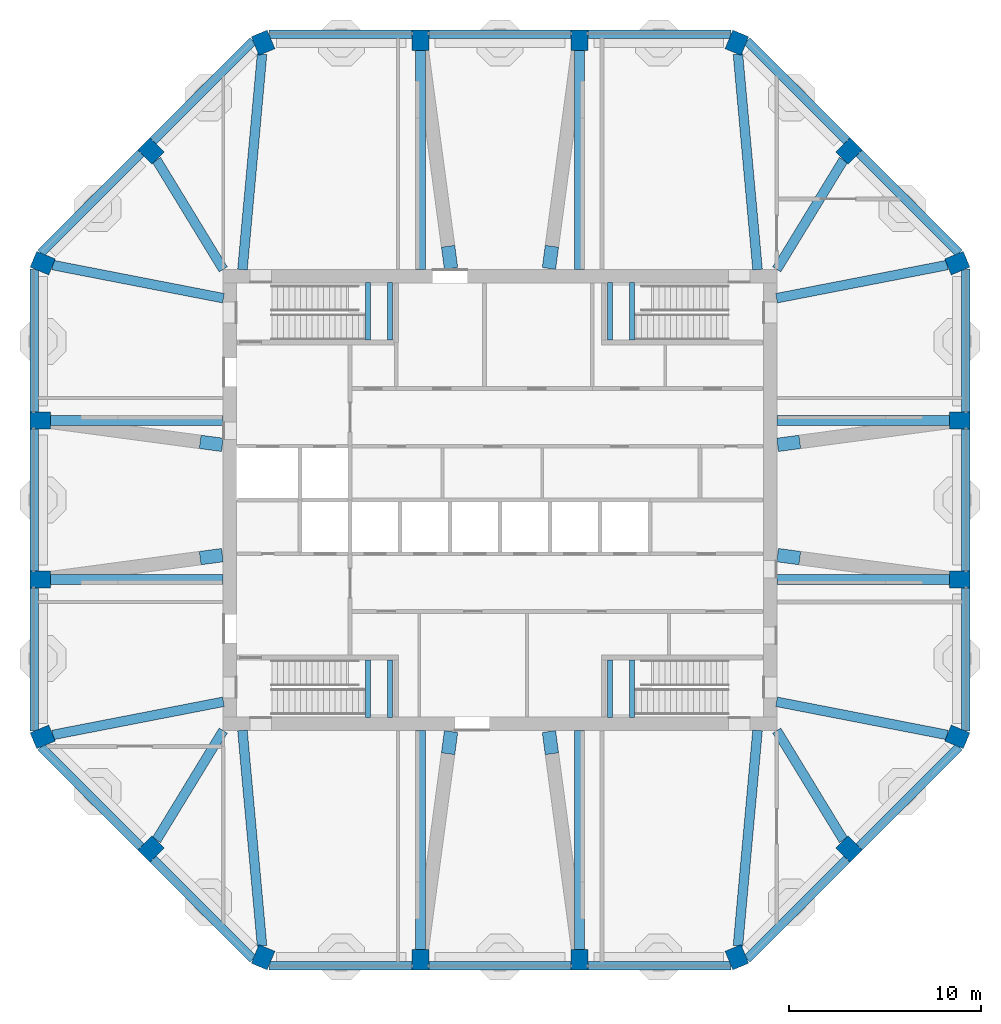
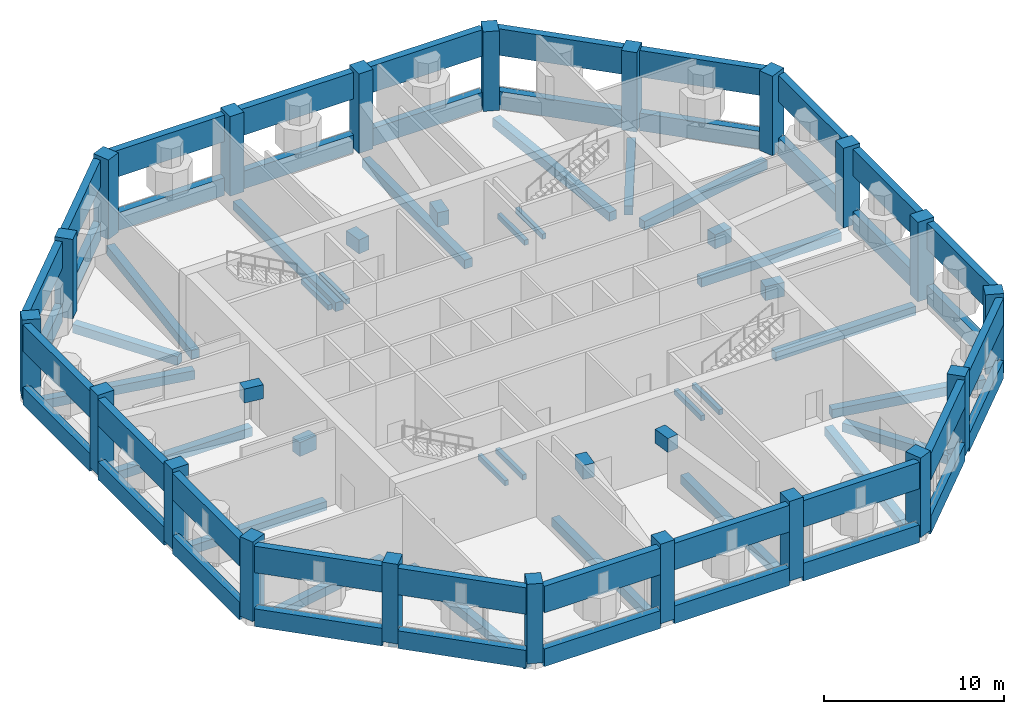
# One storey, part 1 of 9: 76 beams, 20 columns.
"""IFC4 building model written with IfcOpenShell, lengths in metres."""

from ifc_helpers import new_model, si_unit, direction, frame, origin, origin_2d, place, context, subcontext, project, spatial, rectangle, extrude, material, material_profile, profile_set, type_object, element, save


model = new_model("IFC4")

# Units and contexts
model_context = context("Model", 3, precision=1e-05, world=origin(), true_north=direction((0.0, 1.0)))
body_context = subcontext(model_context, "Body", "Model", "MODEL_VIEW")
ifc_project = project(units=[si_unit("LENGTHUNIT", "METRE"), si_unit("AREAUNIT", "SQUARE_METRE"), si_unit("VOLUMEUNIT", "CUBIC_METRE"), si_unit("PLANEANGLEUNIT", "RADIAN"), si_unit("MASSUNIT", "GRAM", prefix="KILO")], contexts=[model_context])

# Site, building, storey
site_placement = place(None, origin())
site = spatial("IfcSite", under=ifc_project, at=site_placement, CompositionType="ELEMENT")
building_placement = place(site_placement, origin())
building = spatial("IfcBuilding", under=site, at=building_placement, Name="Msitu Wima Residences", CompositionType="ELEMENT")
storey_placement = place(building_placement, frame((0.0, 0.0, 208.5)))
storey = spatial("IfcBuildingStorey", under=building, at=storey_placement, Name="L48", CompositionType="ELEMENT", Elevation=208.5)

# Columns
ifc_material_1 = material(Name="Concrete C60/75", Category="concrete")
ifc_material_profile_1 = material_profile(ifc_material_1, rectangle(XDim=0.89990234375, YDim=1.050048828125, at=origin_2d()), Name="RC 900x1050")
ifc_profile_set_1 = profile_set([ifc_material_profile_1], Name="Concrete C60/75")
column_type = type_object("IfcColumnType", Name="Column RC 900x1050 Concrete C60/75", PredefinedType="COLUMN", material=ifc_profile_set_1)
for number, where, z_axis, x_axis, name in (
    (1, (23.792724609375, -12.325927734375, 0.0), (0.0, 0.0, 1.0), (0.382683496864, 0.923879505795, 0.0), "Column L48 C-E0"),
    (2, (23.925048828125, -4.13720703125, 0.0), (0.0, 0.0, 1.0), (0.0, 1.0, 0.0), "Column L48 C-E1"),
    (3, (23.925048828125, 4.13720703125, 0.0), (0.0, 0.0, 1.0), (0.0, 1.0, 0.0), "Column L48 C-E2"),
    (4, (23.792724609375, 12.325927734375, 0.0), (0.0, 0.0, 1.0), (-0.382683496864, 0.923879505795, 0.0), "Column L48 C-NE0"),
    (5, (18.15283203125, 18.15283203125, 0.0), (0.0, 0.0, 1.0), (-0.707106781187, 0.707106781187, 0.0), "Column L48 C-NE1"),
    (6, (12.325927734375, 23.792724609375, 0.0), (0.0, 0.0, 1.0), (-0.923879505795, 0.382683496864, 0.0), "Column L48 C-N0"),
    (7, (4.13720703125, 23.925048828125, 0.0), (0.0, 0.0, 1.0), (-1.0, 0.0, 0.0), "Column L48 C-N1"),
    (8, (-4.13720703125, 23.925048828125, 0.0), (0.0, 0.0, 1.0), (-1.0, 0.0, 0.0), "Column L48 C-N2"),
    (9, (-12.325927734375, 23.792724609375, 0.0), (0.0, 0.0, 1.0), (-0.923879505795, -0.382683496864, 0.0), "Column L48 C-NW0"),
    (10, (-18.15283203125, 18.15283203125, 0.0), (0.0, 0.0, 1.0), (-0.707106781187, -0.707106781187, 0.0), "Column L48 C-NW1"),
    (11, (-23.792724609375, 12.325927734375, 0.0), (0.0, 0.0, 1.0), (-0.382683496864, -0.923879505795, 0.0), "Column L48 C-W0"),
    (12, (-23.925048828125, 4.13720703125, 0.0), (0.0, 0.0, 1.0), (0.0, -1.0, 0.0), "Column L48 C-W1"),
    (13, (-23.925048828125, -4.13720703125, 0.0), (0.0, 0.0, 1.0), (0.0, -1.0, 0.0), "Column L48 C-W2"),
    (14, (-23.792724609375, -12.325927734375, 0.0), (0.0, 0.0, 1.0), (0.382683496864, -0.923879505795, 0.0), "Column L48 C-SW0"),
    (15, (-18.15283203125, -18.15283203125, 0.0), (0.0, 0.0, 1.0), (0.707106781187, -0.707106781187, 0.0), "Column L48 C-SW1"),
    (16, (-12.325927734375, -23.792724609375, 0.0), (0.0, 0.0, 1.0), (0.923879505795, -0.382683496864, 0.0), "Column L48 C-S0"),
    (17, (-4.13720703125, -23.925048828125, 0.0), (0.0, 0.0, 1.0), (1.0, 0.0, 0.0), "Column L48 C-S1"),
    (18, (4.13720703125, -23.925048828125, 0.0), (0.0, 0.0, 1.0), (1.0, 0.0, 0.0), "Column L48 C-S2"),
    (19, (12.325927734375, -23.792724609375, 0.0), (0.0, 0.0, 1.0), (0.923879505795, 0.382683496864, 0.0), "Column L48 C-SE0"),
    (20, (18.15283203125, -18.15283203125, 0.0), (0.0, 0.0, 1.0), (0.707106781187, 0.707106781187, 0.0), "Column L48 C-SE1"),
):
    element("IfcColumn", number, at=place(storey_placement, frame(where, z_axis=z_axis, x_axis=x_axis)), inside=storey, type_object=column_type, Name=name, PredefinedType="COLUMN", context=body_context, shape_type="SweptSolid", body=[
        extrude(rectangle(XDim=0.89990234375, YDim=1.050048828125, at=origin_2d()), origin(), (0.0, 0.0, 1.0), 5.39990234375),
    ])

# Beams
ifc_material_2 = material(Name="Concrete C50/60", Category="concrete")
ifc_material_profile_2 = material_profile(ifc_material_2, rectangle(XDim=0.5, YDim=0.60009765625, at=origin_2d()), Name="RC 500x600")
ifc_profile_set_2 = profile_set([ifc_material_profile_2], Name="Concrete C50/60")
beam_type_1 = type_object("IfcBeamType", Name="Beam RC 500x600 Concrete C50/60", PredefinedType="BEAM", material=ifc_profile_set_2)
beam_1_placement = place(storey_placement, frame((23.266845703125, -12.2236328125, -0.699951171875), z_axis=(-0.981627328559, 0.190808248841, 0.0), x_axis=(-0.190808248841, -0.981627328559, 0.0)))
element("IfcBeam", 21, at=beam_1_placement, inside=storey, type_object=beam_type_1, Name="Beam L48 C-E0", PredefinedType="BEAM", context=body_context, shape_type="SweptSolid", body=[
    extrude(rectangle(XDim=0.5, YDim=0.60009765625, at=origin_2d()), origin(), (0.0, 0.0, 1.0), 9.044921875),
])
for number, where, z_axis, x_axis, name in (
    (22, (23.39990234375, -4.13720703125, -0.699951171875), (-1.0, 0.0, 0.0), (0.0, -1.0, 0.0), "Beam L48 C-E1"),
    (23, (23.39990234375, 4.13720703125, -0.699951171875), (-1.0, 0.0, 0.0), (0.0, -1.0, 0.0), "Beam L48 C-E2"),
):
    element("IfcBeam", number, at=place(storey_placement, frame(where, z_axis=z_axis, x_axis=x_axis)), inside=storey, type_object=beam_type_1, Name=name, PredefinedType="BEAM", context=body_context, shape_type="SweptSolid", body=[
        extrude(rectangle(XDim=0.5, YDim=0.60009765625, at=origin_2d()), origin(), (0.0, 0.0, 1.0), 9.0),
    ])
beam_2_placement = place(storey_placement, frame((23.266845703125, 12.2236328125, -0.699951171875), z_axis=(-0.981627328559, -0.190808248841, 0.0), x_axis=(0.190808248841, -0.981627328559, 0.0)))
element("IfcBeam", 24, at=beam_2_placement, inside=storey, type_object=beam_type_1, Name="Beam L48 C-NE0", PredefinedType="BEAM", context=body_context, shape_type="SweptSolid", body=[
    extrude(rectangle(XDim=0.5, YDim=0.60009765625, at=origin_2d()), origin(), (0.0, 0.0, 1.0), 9.044921875),
])
beam_3_placement = place(storey_placement, frame((17.87158203125, 17.691650390625, -0.699951171875), z_axis=(-0.520734381113, -0.853718750132, 0.0), x_axis=(0.853718750132, -0.520734381113, 0.0)))
element("IfcBeam", 25, at=beam_3_placement, inside=storey, type_object=beam_type_1, Name="Beam L48 C-NE1", PredefinedType="BEAM", context=body_context, shape_type="SweptSolid", body=[
    extrude(rectangle(XDim=0.5, YDim=0.60009765625, at=origin_2d()), origin(), (0.0, 0.0, 1.0), 6.6669921875),
])
beam_4_placement = place(storey_placement, frame((12.379638671875, 23.2021484375, -0.699951171875), z_axis=(0.090713636077, -0.995877018627, 0.0), x_axis=(0.995877018627, 0.090713636077, 0.0)))
element("IfcBeam", 26, at=beam_4_placement, inside=storey, type_object=beam_type_1, Name="Beam L48 C-N0", PredefinedType="BEAM", context=body_context, shape_type="SweptSolid", body=[
    extrude(rectangle(XDim=0.5, YDim=0.60009765625, at=origin_2d()), origin(), (0.0, 0.0, 1.0), 11.260498046875),
])
for number, where, z_axis, x_axis, name in (
    (27, (4.13720703125, 23.39990234375, -0.699951171875), (0.0, -1.0, 0.0), (1.0, 0.0, 0.0), "Beam L48 C-N1"),
    (28, (-4.13720703125, 23.39990234375, -0.699951171875), (0.0, -1.0, 0.0), (1.0, 0.0, 0.0), "Beam L48 C-N2"),
):
    element("IfcBeam", number, at=place(storey_placement, frame(where, z_axis=z_axis, x_axis=x_axis)), inside=storey, type_object=beam_type_1, Name=name, PredefinedType="BEAM", context=body_context, shape_type="SweptSolid", body=[
        extrude(rectangle(XDim=0.5, YDim=0.60009765625, at=origin_2d()), origin(), (0.0, 0.0, 1.0), 11.39990234375),
    ])
beam_5_placement = place(storey_placement, frame((-12.379638671875, 23.2021484375, -0.699951171875), z_axis=(-0.090713636077, -0.995877018627, 0.0), x_axis=(0.995877018627, -0.090713636077, 0.0)))
element("IfcBeam", 29, at=beam_5_placement, inside=storey, type_object=beam_type_1, Name="Beam L48 C-NW0", PredefinedType="BEAM", context=body_context, shape_type="SweptSolid", body=[
    extrude(rectangle(XDim=0.5, YDim=0.60009765625, at=origin_2d()), origin(), (0.0, 0.0, 1.0), 11.260498046875),
])
beam_6_placement = place(storey_placement, frame((-17.87158203125, 17.691650390625, -0.699951171875), z_axis=(0.520734381113, -0.853718750132, 0.0), x_axis=(0.853718750132, 0.520734381113, 0.0)))
element("IfcBeam", 30, at=beam_6_placement, inside=storey, type_object=beam_type_1, Name="Beam L48 C-NW1", PredefinedType="BEAM", context=body_context, shape_type="SweptSolid", body=[
    extrude(rectangle(XDim=0.5, YDim=0.60009765625, at=origin_2d()), origin(), (0.0, 0.0, 1.0), 6.6669921875),
])
beam_7_placement = place(storey_placement, frame((-23.266845703125, 12.2236328125, -0.699951171875), z_axis=(0.981627328559, -0.190808248841, 0.0), x_axis=(0.190808248841, 0.981627328559, 0.0)))
element("IfcBeam", 31, at=beam_7_placement, inside=storey, type_object=beam_type_1, Name="Beam L48 C-W0", PredefinedType="BEAM", context=body_context, shape_type="SweptSolid", body=[
    extrude(rectangle(XDim=0.5, YDim=0.60009765625, at=origin_2d()), origin(), (0.0, 0.0, 1.0), 9.044921875),
])
for number, where, z_axis, x_axis, name in (
    (32, (-23.39990234375, 4.13720703125, -0.699951171875), (1.0, 0.0, 0.0), (0.0, 1.0, 0.0), "Beam L48 C-W1"),
    (33, (-23.39990234375, -4.13720703125, -0.699951171875), (1.0, 0.0, 0.0), (0.0, 1.0, 0.0), "Beam L48 C-W2"),
):
    element("IfcBeam", number, at=place(storey_placement, frame(where, z_axis=z_axis, x_axis=x_axis)), inside=storey, type_object=beam_type_1, Name=name, PredefinedType="BEAM", context=body_context, shape_type="SweptSolid", body=[
        extrude(rectangle(XDim=0.5, YDim=0.60009765625, at=origin_2d()), origin(), (0.0, 0.0, 1.0), 9.0),
    ])
beam_8_placement = place(storey_placement, frame((-23.266845703125, -12.2236328125, -0.699951171875), z_axis=(0.981627328559, 0.190808248841, 0.0), x_axis=(-0.190808248841, 0.981627328559, 0.0)))
element("IfcBeam", 34, at=beam_8_placement, inside=storey, type_object=beam_type_1, Name="Beam L48 C-SW0", PredefinedType="BEAM", context=body_context, shape_type="SweptSolid", body=[
    extrude(rectangle(XDim=0.5, YDim=0.60009765625, at=origin_2d()), origin(), (0.0, 0.0, 1.0), 9.044921875),
])
beam_9_placement = place(storey_placement, frame((-17.87158203125, -17.691650390625, -0.699951171875), z_axis=(0.520734381113, 0.853718750132, 0.0), x_axis=(-0.853718750132, 0.520734381113, 0.0)))
element("IfcBeam", 35, at=beam_9_placement, inside=storey, type_object=beam_type_1, Name="Beam L48 C-SW1", PredefinedType="BEAM", context=body_context, shape_type="SweptSolid", body=[
    extrude(rectangle(XDim=0.5, YDim=0.60009765625, at=origin_2d()), origin(), (0.0, 0.0, 1.0), 6.6669921875),
])
beam_10_placement = place(storey_placement, frame((-12.379638671875, -23.2021484375, -0.699951171875), z_axis=(-0.090713636077, 0.995877018627, 0.0), x_axis=(-0.995877018627, -0.090713636077, 0.0)))
element("IfcBeam", 36, at=beam_10_placement, inside=storey, type_object=beam_type_1, Name="Beam L48 C-S0", PredefinedType="BEAM", context=body_context, shape_type="SweptSolid", body=[
    extrude(rectangle(XDim=0.5, YDim=0.60009765625, at=origin_2d()), origin(), (0.0, 0.0, 1.0), 11.260498046875),
])
for number, where, z_axis, x_axis, name in (
    (37, (-4.13720703125, -23.39990234375, -0.699951171875), (0.0, 1.0, 0.0), (-1.0, 0.0, 0.0), "Beam L48 C-S1"),
    (38, (4.13720703125, -23.39990234375, -0.699951171875), (0.0, 1.0, 0.0), (-1.0, 0.0, 0.0), "Beam L48 C-S2"),
):
    element("IfcBeam", number, at=place(storey_placement, frame(where, z_axis=z_axis, x_axis=x_axis)), inside=storey, type_object=beam_type_1, Name=name, PredefinedType="BEAM", context=body_context, shape_type="SweptSolid", body=[
        extrude(rectangle(XDim=0.5, YDim=0.60009765625, at=origin_2d()), origin(), (0.0, 0.0, 1.0), 11.39990234375),
    ])
beam_11_placement = place(storey_placement, frame((12.379638671875, -23.2021484375, -0.699951171875), z_axis=(0.090713636077, 0.995877018627, 0.0), x_axis=(-0.995877018627, 0.090713636077, 0.0)))
element("IfcBeam", 39, at=beam_11_placement, inside=storey, type_object=beam_type_1, Name="Beam L48 C-SE0", PredefinedType="BEAM", context=body_context, shape_type="SweptSolid", body=[
    extrude(rectangle(XDim=0.5, YDim=0.60009765625, at=origin_2d()), origin(), (0.0, 0.0, 1.0), 11.260498046875),
])
beam_12_placement = place(storey_placement, frame((17.87158203125, -17.691650390625, -0.699951171875), z_axis=(-0.520734381113, 0.853718750132, 0.0), x_axis=(-0.853718750132, -0.520734381113, 0.0)))
element("IfcBeam", 40, at=beam_12_placement, inside=storey, type_object=beam_type_1, Name="Beam L48 C-SE1", PredefinedType="BEAM", context=body_context, shape_type="SweptSolid", body=[
    extrude(rectangle(XDim=0.5, YDim=0.60009765625, at=origin_2d()), origin(), (0.0, 0.0, 1.0), 6.6669921875),
])
ifc_material_3 = material(Name="Concrete C80/95", Category="concrete")
ifc_material_profile_3 = material_profile(ifc_material_3, rectangle(XDim=0.449951171875, YDim=1.800048828125, at=origin_2d()), Name="RC 450x1800")
ifc_profile_set_3 = profile_set([ifc_material_profile_3], Name="Concrete C80/95")
beam_type_2 = type_object("IfcBeamType", Name="Belt girder RC 450x1800 Concrete C80/95", PredefinedType="BEAM", material=ifc_profile_set_3)
beam_13_placement = place(storey_placement, frame((24.22509765625, -12.02978515625, 4.25), z_axis=(0.0, 1.0, 0.0), x_axis=(-1.0, 0.0, 0.0)))
element("IfcBeam", 41, at=beam_13_placement, inside=storey, type_object=beam_type_2, Name="Belt girder L48 E0", PredefinedType="BEAM", context=body_context, shape_type="SweptSolid", body=[
    extrude(rectangle(XDim=0.449951171875, YDim=1.800048828125, at=origin_2d()), origin(), (0.0, 0.0, 1.0), 7.442626953125),
])
beam_14_placement = place(storey_placement, frame((24.22509765625, -3.687255859375, 4.25), z_axis=(0.0, 1.0, 0.0), x_axis=(-1.0, 0.0, 0.0)))
element("IfcBeam", 42, at=beam_14_placement, inside=storey, type_object=beam_type_2, Name="Belt girder L48 E1", PredefinedType="BEAM", context=body_context, shape_type="SweptSolid", body=[
    extrude(rectangle(XDim=0.449951171875, YDim=1.800048828125, at=origin_2d()), origin(), (0.0, 0.0, 1.0), 7.37451171875),
])
beam_15_placement = place(storey_placement, frame((24.22509765625, 4.587158203125, 4.25), z_axis=(0.0, 1.0, 0.0), x_axis=(-1.0, 0.0, 0.0)))
element("IfcBeam", 43, at=beam_15_placement, inside=storey, type_object=beam_type_2, Name="Belt girder L48 E2", PredefinedType="BEAM", context=body_context, shape_type="SweptSolid", body=[
    extrude(rectangle(XDim=0.449951171875, YDim=1.800048828125, at=origin_2d()), origin(), (0.0, 0.0, 1.0), 7.442626953125),
])
for number, where, z_axis, x_axis, name in (
    (44, (23.88916015625, 12.8408203125, 4.25), (-0.707106781187, 0.707106781187, 0.0), (-0.707106781187, -0.707106781187, 0.0), "Belt girder L48 NE0"),
    (45, (18.046875, 18.68310546875, 4.25), (-0.707106781187, 0.707106781187, 0.0), (-0.707106781187, -0.707106781187, 0.0), "Belt girder L48 NE1"),
):
    element("IfcBeam", number, at=place(storey_placement, frame(where, z_axis=z_axis, x_axis=x_axis)), inside=storey, type_object=beam_type_2, Name=name, PredefinedType="BEAM", context=body_context, shape_type="SweptSolid", body=[
        extrude(rectangle(XDim=0.449951171875, YDim=1.800048828125, at=origin_2d()), origin(), (0.0, 0.0, 1.0), 7.362548828125),
    ])
beam_16_placement = place(storey_placement, frame((12.02978515625, 24.22509765625, 4.25), z_axis=(-1.0, 0.0, 0.0), x_axis=(0.0, -1.0, 0.0)))
element("IfcBeam", 46, at=beam_16_placement, inside=storey, type_object=beam_type_2, Name="Belt girder L48 N0", PredefinedType="BEAM", context=body_context, shape_type="SweptSolid", body=[
    extrude(rectangle(XDim=0.449951171875, YDim=1.800048828125, at=origin_2d()), origin(), (0.0, 0.0, 1.0), 7.442626953125),
])
beam_17_placement = place(storey_placement, frame((3.687255859375, 24.22509765625, 4.25), z_axis=(-1.0, 0.0, 0.0), x_axis=(0.0, -1.0, 0.0)))
element("IfcBeam", 47, at=beam_17_placement, inside=storey, type_object=beam_type_2, Name="Belt girder L48 N1", PredefinedType="BEAM", context=body_context, shape_type="SweptSolid", body=[
    extrude(rectangle(XDim=0.449951171875, YDim=1.800048828125, at=origin_2d()), origin(), (0.0, 0.0, 1.0), 7.37451171875),
])
beam_18_placement = place(storey_placement, frame((-4.587158203125, 24.22509765625, 4.25), z_axis=(-1.0, 0.0, 0.0), x_axis=(0.0, -1.0, 0.0)))
element("IfcBeam", 48, at=beam_18_placement, inside=storey, type_object=beam_type_2, Name="Belt girder L48 N2", PredefinedType="BEAM", context=body_context, shape_type="SweptSolid", body=[
    extrude(rectangle(XDim=0.449951171875, YDim=1.800048828125, at=origin_2d()), origin(), (0.0, 0.0, 1.0), 7.442626953125),
])
for number, where, z_axis, x_axis, name in (
    (49, (-12.8408203125, 23.88916015625, 4.25), (-0.707106781187, -0.707106781187, 0.0), (0.707106781187, -0.707106781187, 0.0), "Belt girder L48 NW0"),
    (50, (-18.68310546875, 18.046875, 4.25), (-0.707106781187, -0.707106781187, 0.0), (0.707106781187, -0.707106781187, 0.0), "Belt girder L48 NW1"),
):
    element("IfcBeam", number, at=place(storey_placement, frame(where, z_axis=z_axis, x_axis=x_axis)), inside=storey, type_object=beam_type_2, Name=name, PredefinedType="BEAM", context=body_context, shape_type="SweptSolid", body=[
        extrude(rectangle(XDim=0.449951171875, YDim=1.800048828125, at=origin_2d()), origin(), (0.0, 0.0, 1.0), 7.362548828125),
    ])
beam_19_placement = place(storey_placement, frame((-24.22509765625, 12.02978515625, 4.25), z_axis=(0.0, -1.0, 0.0), x_axis=(1.0, 0.0, 0.0)))
element("IfcBeam", 51, at=beam_19_placement, inside=storey, type_object=beam_type_2, Name="Belt girder L48 W0", PredefinedType="BEAM", context=body_context, shape_type="SweptSolid", body=[
    extrude(rectangle(XDim=0.449951171875, YDim=1.800048828125, at=origin_2d()), origin(), (0.0, 0.0, 1.0), 7.442626953125),
])
beam_20_placement = place(storey_placement, frame((-24.22509765625, 3.687255859375, 4.25), z_axis=(0.0, -1.0, 0.0), x_axis=(1.0, 0.0, 0.0)))
element("IfcBeam", 52, at=beam_20_placement, inside=storey, type_object=beam_type_2, Name="Belt girder L48 W1", PredefinedType="BEAM", context=body_context, shape_type="SweptSolid", body=[
    extrude(rectangle(XDim=0.449951171875, YDim=1.800048828125, at=origin_2d()), origin(), (0.0, 0.0, 1.0), 7.37451171875),
])
beam_21_placement = place(storey_placement, frame((-24.22509765625, -4.587158203125, 4.25), z_axis=(0.0, -1.0, 0.0), x_axis=(1.0, 0.0, 0.0)))
element("IfcBeam", 53, at=beam_21_placement, inside=storey, type_object=beam_type_2, Name="Belt girder L48 W2", PredefinedType="BEAM", context=body_context, shape_type="SweptSolid", body=[
    extrude(rectangle(XDim=0.449951171875, YDim=1.800048828125, at=origin_2d()), origin(), (0.0, 0.0, 1.0), 7.442626953125),
])
for number, where, z_axis, x_axis, name in (
    (54, (-23.88916015625, -12.8408203125, 4.25), (0.707106781187, -0.707106781187, 0.0), (0.707106781187, 0.707106781187, 0.0), "Belt girder L48 SW0"),
    (55, (-18.046875, -18.68310546875, 4.25), (0.707106781187, -0.707106781187, 0.0), (0.707106781187, 0.707106781187, 0.0), "Belt girder L48 SW1"),
):
    element("IfcBeam", number, at=place(storey_placement, frame(where, z_axis=z_axis, x_axis=x_axis)), inside=storey, type_object=beam_type_2, Name=name, PredefinedType="BEAM", context=body_context, shape_type="SweptSolid", body=[
        extrude(rectangle(XDim=0.449951171875, YDim=1.800048828125, at=origin_2d()), origin(), (0.0, 0.0, 1.0), 7.362548828125),
    ])
beam_22_placement = place(storey_placement, frame((-12.02978515625, -24.22509765625, 4.25), z_axis=(1.0, 0.0, 0.0), x_axis=(0.0, 1.0, 0.0)))
element("IfcBeam", 56, at=beam_22_placement, inside=storey, type_object=beam_type_2, Name="Belt girder L48 S0", PredefinedType="BEAM", context=body_context, shape_type="SweptSolid", body=[
    extrude(rectangle(XDim=0.449951171875, YDim=1.800048828125, at=origin_2d()), origin(), (0.0, 0.0, 1.0), 7.442626953125),
])
beam_23_placement = place(storey_placement, frame((-3.687255859375, -24.22509765625, 4.25), z_axis=(1.0, 0.0, 0.0), x_axis=(0.0, 1.0, 0.0)))
element("IfcBeam", 57, at=beam_23_placement, inside=storey, type_object=beam_type_2, Name="Belt girder L48 S1", PredefinedType="BEAM", context=body_context, shape_type="SweptSolid", body=[
    extrude(rectangle(XDim=0.449951171875, YDim=1.800048828125, at=origin_2d()), origin(), (0.0, 0.0, 1.0), 7.37451171875),
])
beam_24_placement = place(storey_placement, frame((4.587158203125, -24.22509765625, 4.25), z_axis=(1.0, 0.0, 0.0), x_axis=(0.0, 1.0, 0.0)))
element("IfcBeam", 58, at=beam_24_placement, inside=storey, type_object=beam_type_2, Name="Belt girder L48 S2", PredefinedType="BEAM", context=body_context, shape_type="SweptSolid", body=[
    extrude(rectangle(XDim=0.449951171875, YDim=1.800048828125, at=origin_2d()), origin(), (0.0, 0.0, 1.0), 7.442626953125),
])
for number, where, z_axis, x_axis, name in (
    (59, (12.8408203125, -23.88916015625, 4.25), (0.707106781187, 0.707106781187, 0.0), (-0.707106781187, 0.707106781187, 0.0), "Belt girder L48 SE0"),
    (60, (18.68310546875, -18.046875, 4.25), (0.707106781187, 0.707106781187, 0.0), (-0.707106781187, 0.707106781187, 0.0), "Belt girder L48 SE1"),
):
    element("IfcBeam", number, at=place(storey_placement, frame(where, z_axis=z_axis, x_axis=x_axis)), inside=storey, type_object=beam_type_2, Name=name, PredefinedType="BEAM", context=body_context, shape_type="SweptSolid", body=[
        extrude(rectangle(XDim=0.449951171875, YDim=1.800048828125, at=origin_2d()), origin(), (0.0, 0.0, 1.0), 7.362548828125),
    ])
ifc_material_profile_4 = material_profile(ifc_material_3, rectangle(XDim=0.699951171875, YDim=0.949951171875, at=origin_2d()), Name="RC 700x950")
ifc_profile_set_4 = profile_set([ifc_material_profile_4], Name="Concrete C80/95")
beam_type_3 = type_object("IfcBeamType", Name="Coupling beam RC 700x950 Concrete C80/95", PredefinedType="BEAM", material=ifc_profile_set_4)
for number, where, z_axis, x_axis, name in (
    (61, (14.446533203125, -2.8681640625, 2.875), (0.991163730184, -0.132644110192, 0.0), (0.132644110192, 0.991163730184, 0.0), "Coupling beam L48 C-E1"),
    (62, (14.446533203125, 2.8681640625, 2.875), (0.991163730184, 0.132644110192, 0.0), (-0.132644110192, 0.991163730184, 0.0), "Coupling beam L48 C-E2"),
    (63, (2.546875, 12.04638671875, 2.875), (0.132644110192, 0.991163730184, 0.0), (-0.991163730184, 0.132644110192, 0.0), "Coupling beam L48 C-N1"),
    (64, (-2.546875, 12.04638671875, 2.875), (-0.132644110192, 0.991163730184, 0.0), (-0.991163730184, -0.132644110192, 0.0), "Coupling beam L48 C-N2"),
    (65, (-14.446533203125, 2.8681640625, 2.875), (-0.991163730184, 0.132644110192, 0.0), (-0.132644110192, -0.991163730184, 0.0), "Coupling beam L48 C-W1"),
    (66, (-14.446533203125, -2.8681640625, 2.875), (-0.991163730184, -0.132644110192, 0.0), (0.132644110192, -0.991163730184, 0.0), "Coupling beam L48 C-W2"),
    (67, (-2.546875, -12.04638671875, 2.875), (-0.132644110192, -0.991163730184, 0.0), (0.991163730184, -0.132644110192, 0.0), "Coupling beam L48 C-S1"),
    (68, (2.546875, -12.04638671875, 2.875), (0.132644110192, -0.991163730184, 0.0), (0.991163730184, 0.132644110192, 0.0), "Coupling beam L48 C-S2"),
):
    element("IfcBeam", number, at=place(storey_placement, frame(where, z_axis=z_axis, x_axis=x_axis)), inside=storey, type_object=beam_type_3, Name=name, PredefinedType="BEAM", context=body_context, shape_type="SweptSolid", body=[
        extrude(rectangle(XDim=0.699951171875, YDim=0.949951171875, at=origin_2d()), origin(), (0.0, 0.0, 1.0), 1.1650390625),
    ])
ifc_material_4 = material(Name="Concrete C40/50", Category="concrete")
ifc_material_profile_5 = material_profile(ifc_material_4, rectangle(XDim=0.25, YDim=0.35009765625, at=origin_2d()), Name="RC 250x350")
ifc_profile_set_5 = profile_set([ifc_material_profile_5], Name="Concrete C40/50")
beam_type_4 = type_object("IfcBeamType", Name="Landing beam RC 250x350", PredefinedType="BEAM", material=ifc_profile_set_5)
for number, where, z_axis, x_axis, name in (
    (69, (-6.875, 8.324951171875, 2.40673828125), (0.0, 1.0, 0.0), (-1.0, 0.0, 0.0), "Stair 1 landing beam"),
    (70, (-5.72509765625, 8.324951171875, 2.40673828125), (0.0, 1.0, 0.0), (-1.0, 0.0, 0.0), "Stair 1 landing beam"),
    (71, (-6.875, -11.324951171875, 2.40673828125), (0.0, 1.0, 0.0), (-1.0, 0.0, 0.0), "Stair 2 landing beam"),
    (72, (-5.72509765625, -11.324951171875, 2.40673828125), (0.0, 1.0, 0.0), (-1.0, 0.0, 0.0), "Stair 2 landing beam"),
    (73, (6.875, 8.324951171875, 2.40673828125), (0.0, 1.0, 0.0), (-1.0, 0.0, 0.0), "Stair 3 landing beam"),
    (74, (5.72509765625, 8.324951171875, 2.40673828125), (0.0, 1.0, 0.0), (-1.0, 0.0, 0.0), "Stair 3 landing beam"),
    (75, (6.875, -11.324951171875, 2.40673828125), (0.0, 1.0, 0.0), (-1.0, 0.0, 0.0), "Stair 4 landing beam"),
    (76, (5.72509765625, -11.324951171875, 2.40673828125), (0.0, 1.0, 0.0), (-1.0, 0.0, 0.0), "Stair 4 landing beam"),
):
    element("IfcBeam", number, at=place(storey_placement, frame(where, z_axis=z_axis, x_axis=x_axis)), inside=storey, type_object=beam_type_4, Name=name, PredefinedType="BEAM", context=body_context, shape_type="SweptSolid", body=[
        extrude(rectangle(XDim=0.25, YDim=0.35009765625, at=origin_2d()), origin(), (0.0, 0.0, 1.0), 3.0),
    ])
ifc_material_profile_6 = material_profile(ifc_material_2, rectangle(XDim=0.449951171875, YDim=1.199951171875, at=origin_2d()), Name="RC 450x1200")
ifc_profile_set_6 = profile_set([ifc_material_profile_6], Name="Concrete C50/60")
beam_type_5 = type_object("IfcBeamType", Name="Spandrel RC 450x1200 Concrete C50/60", PredefinedType="SPANDREL", material=ifc_profile_set_6)
beam_25_placement = place(storey_placement, frame((24.22509765625, -12.02978515625, 0.300048828125), z_axis=(0.0, 1.0, 0.0), x_axis=(-1.0, 0.0, 0.0)))
element("IfcBeam", 77, at=beam_25_placement, inside=storey, type_object=beam_type_5, Name="Spandrel L48 E0", PredefinedType="SPANDREL", context=body_context, shape_type="SweptSolid", body=[
    extrude(rectangle(XDim=0.449951171875, YDim=1.199951171875, at=origin_2d()), origin(), (0.0, 0.0, 1.0), 7.442626953125),
])
beam_26_placement = place(storey_placement, frame((24.22509765625, -3.687255859375, 0.300048828125), z_axis=(0.0, 1.0, 0.0), x_axis=(-1.0, 0.0, 0.0)))
element("IfcBeam", 78, at=beam_26_placement, inside=storey, type_object=beam_type_5, Name="Spandrel L48 E1", PredefinedType="SPANDREL", context=body_context, shape_type="SweptSolid", body=[
    extrude(rectangle(XDim=0.449951171875, YDim=1.199951171875, at=origin_2d()), origin(), (0.0, 0.0, 1.0), 7.37451171875),
])
beam_27_placement = place(storey_placement, frame((24.22509765625, 4.587158203125, 0.300048828125), z_axis=(0.0, 1.0, 0.0), x_axis=(-1.0, 0.0, 0.0)))
element("IfcBeam", 79, at=beam_27_placement, inside=storey, type_object=beam_type_5, Name="Spandrel L48 E2", PredefinedType="SPANDREL", context=body_context, shape_type="SweptSolid", body=[
    extrude(rectangle(XDim=0.449951171875, YDim=1.199951171875, at=origin_2d()), origin(), (0.0, 0.0, 1.0), 7.442626953125),
])
for number, where, z_axis, x_axis, name in (
    (80, (23.88916015625, 12.8408203125, 0.300048828125), (-0.707106781187, 0.707106781187, 0.0), (-0.707106781187, -0.707106781187, 0.0), "Spandrel L48 NE0"),
    (81, (18.046875, 18.68310546875, 0.300048828125), (-0.707106781187, 0.707106781187, 0.0), (-0.707106781187, -0.707106781187, 0.0), "Spandrel L48 NE1"),
):
    element("IfcBeam", number, at=place(storey_placement, frame(where, z_axis=z_axis, x_axis=x_axis)), inside=storey, type_object=beam_type_5, Name=name, PredefinedType="SPANDREL", context=body_context, shape_type="SweptSolid", body=[
        extrude(rectangle(XDim=0.449951171875, YDim=1.199951171875, at=origin_2d()), origin(), (0.0, 0.0, 1.0), 7.362548828125),
    ])
beam_28_placement = place(storey_placement, frame((12.02978515625, 24.22509765625, 0.300048828125), z_axis=(-1.0, 0.0, 0.0), x_axis=(0.0, -1.0, 0.0)))
element("IfcBeam", 82, at=beam_28_placement, inside=storey, type_object=beam_type_5, Name="Spandrel L48 N0", PredefinedType="SPANDREL", context=body_context, shape_type="SweptSolid", body=[
    extrude(rectangle(XDim=0.449951171875, YDim=1.199951171875, at=origin_2d()), origin(), (0.0, 0.0, 1.0), 7.442626953125),
])
beam_29_placement = place(storey_placement, frame((3.687255859375, 24.22509765625, 0.300048828125), z_axis=(-1.0, 0.0, 0.0), x_axis=(0.0, -1.0, 0.0)))
element("IfcBeam", 83, at=beam_29_placement, inside=storey, type_object=beam_type_5, Name="Spandrel L48 N1", PredefinedType="SPANDREL", context=body_context, shape_type="SweptSolid", body=[
    extrude(rectangle(XDim=0.449951171875, YDim=1.199951171875, at=origin_2d()), origin(), (0.0, 0.0, 1.0), 7.37451171875),
])
beam_30_placement = place(storey_placement, frame((-4.587158203125, 24.22509765625, 0.300048828125), z_axis=(-1.0, 0.0, 0.0), x_axis=(0.0, -1.0, 0.0)))
element("IfcBeam", 84, at=beam_30_placement, inside=storey, type_object=beam_type_5, Name="Spandrel L48 N2", PredefinedType="SPANDREL", context=body_context, shape_type="SweptSolid", body=[
    extrude(rectangle(XDim=0.449951171875, YDim=1.199951171875, at=origin_2d()), origin(), (0.0, 0.0, 1.0), 7.442626953125),
])
for number, where, z_axis, x_axis, name in (
    (85, (-12.8408203125, 23.88916015625, 0.300048828125), (-0.707106781187, -0.707106781187, 0.0), (0.707106781187, -0.707106781187, 0.0), "Spandrel L48 NW0"),
    (86, (-18.68310546875, 18.046875, 0.300048828125), (-0.707106781187, -0.707106781187, 0.0), (0.707106781187, -0.707106781187, 0.0), "Spandrel L48 NW1"),
):
    element("IfcBeam", number, at=place(storey_placement, frame(where, z_axis=z_axis, x_axis=x_axis)), inside=storey, type_object=beam_type_5, Name=name, PredefinedType="SPANDREL", context=body_context, shape_type="SweptSolid", body=[
        extrude(rectangle(XDim=0.449951171875, YDim=1.199951171875, at=origin_2d()), origin(), (0.0, 0.0, 1.0), 7.362548828125),
    ])
beam_31_placement = place(storey_placement, frame((-24.22509765625, 12.02978515625, 0.300048828125), z_axis=(0.0, -1.0, 0.0), x_axis=(1.0, 0.0, 0.0)))
element("IfcBeam", 87, at=beam_31_placement, inside=storey, type_object=beam_type_5, Name="Spandrel L48 W0", PredefinedType="SPANDREL", context=body_context, shape_type="SweptSolid", body=[
    extrude(rectangle(XDim=0.449951171875, YDim=1.199951171875, at=origin_2d()), origin(), (0.0, 0.0, 1.0), 7.442626953125),
])
beam_32_placement = place(storey_placement, frame((-24.22509765625, 3.687255859375, 0.300048828125), z_axis=(0.0, -1.0, 0.0), x_axis=(1.0, 0.0, 0.0)))
element("IfcBeam", 88, at=beam_32_placement, inside=storey, type_object=beam_type_5, Name="Spandrel L48 W1", PredefinedType="SPANDREL", context=body_context, shape_type="SweptSolid", body=[
    extrude(rectangle(XDim=0.449951171875, YDim=1.199951171875, at=origin_2d()), origin(), (0.0, 0.0, 1.0), 7.37451171875),
])
beam_33_placement = place(storey_placement, frame((-24.22509765625, -4.587158203125, 0.300048828125), z_axis=(0.0, -1.0, 0.0), x_axis=(1.0, 0.0, 0.0)))
element("IfcBeam", 89, at=beam_33_placement, inside=storey, type_object=beam_type_5, Name="Spandrel L48 W2", PredefinedType="SPANDREL", context=body_context, shape_type="SweptSolid", body=[
    extrude(rectangle(XDim=0.449951171875, YDim=1.199951171875, at=origin_2d()), origin(), (0.0, 0.0, 1.0), 7.442626953125),
])
for number, where, z_axis, x_axis, name in (
    (90, (-23.88916015625, -12.8408203125, 0.300048828125), (0.707106781187, -0.707106781187, 0.0), (0.707106781187, 0.707106781187, 0.0), "Spandrel L48 SW0"),
    (91, (-18.046875, -18.68310546875, 0.300048828125), (0.707106781187, -0.707106781187, 0.0), (0.707106781187, 0.707106781187, 0.0), "Spandrel L48 SW1"),
):
    element("IfcBeam", number, at=place(storey_placement, frame(where, z_axis=z_axis, x_axis=x_axis)), inside=storey, type_object=beam_type_5, Name=name, PredefinedType="SPANDREL", context=body_context, shape_type="SweptSolid", body=[
        extrude(rectangle(XDim=0.449951171875, YDim=1.199951171875, at=origin_2d()), origin(), (0.0, 0.0, 1.0), 7.362548828125),
    ])
beam_34_placement = place(storey_placement, frame((-12.02978515625, -24.22509765625, 0.300048828125), z_axis=(1.0, 0.0, 0.0), x_axis=(0.0, 1.0, 0.0)))
element("IfcBeam", 92, at=beam_34_placement, inside=storey, type_object=beam_type_5, Name="Spandrel L48 S0", PredefinedType="SPANDREL", context=body_context, shape_type="SweptSolid", body=[
    extrude(rectangle(XDim=0.449951171875, YDim=1.199951171875, at=origin_2d()), origin(), (0.0, 0.0, 1.0), 7.442626953125),
])
beam_35_placement = place(storey_placement, frame((-3.687255859375, -24.22509765625, 0.300048828125), z_axis=(1.0, 0.0, 0.0), x_axis=(0.0, 1.0, 0.0)))
element("IfcBeam", 93, at=beam_35_placement, inside=storey, type_object=beam_type_5, Name="Spandrel L48 S1", PredefinedType="SPANDREL", context=body_context, shape_type="SweptSolid", body=[
    extrude(rectangle(XDim=0.449951171875, YDim=1.199951171875, at=origin_2d()), origin(), (0.0, 0.0, 1.0), 7.37451171875),
])
beam_36_placement = place(storey_placement, frame((4.587158203125, -24.22509765625, 0.300048828125), z_axis=(1.0, 0.0, 0.0), x_axis=(0.0, 1.0, 0.0)))
element("IfcBeam", 94, at=beam_36_placement, inside=storey, type_object=beam_type_5, Name="Spandrel L48 S2", PredefinedType="SPANDREL", context=body_context, shape_type="SweptSolid", body=[
    extrude(rectangle(XDim=0.449951171875, YDim=1.199951171875, at=origin_2d()), origin(), (0.0, 0.0, 1.0), 7.442626953125),
])
for number, where, z_axis, x_axis, name in (
    (95, (12.8408203125, -23.88916015625, 0.300048828125), (0.707106781187, 0.707106781187, 0.0), (-0.707106781187, 0.707106781187, 0.0), "Spandrel L48 SE0"),
    (96, (18.68310546875, -18.046875, 0.300048828125), (0.707106781187, 0.707106781187, 0.0), (-0.707106781187, 0.707106781187, 0.0), "Spandrel L48 SE1"),
):
    element("IfcBeam", number, at=place(storey_placement, frame(where, z_axis=z_axis, x_axis=x_axis)), inside=storey, type_object=beam_type_5, Name=name, PredefinedType="SPANDREL", context=body_context, shape_type="SweptSolid", body=[
        extrude(rectangle(XDim=0.449951171875, YDim=1.199951171875, at=origin_2d()), origin(), (0.0, 0.0, 1.0), 7.362548828125),
    ])

save(model, "model.ifc")
